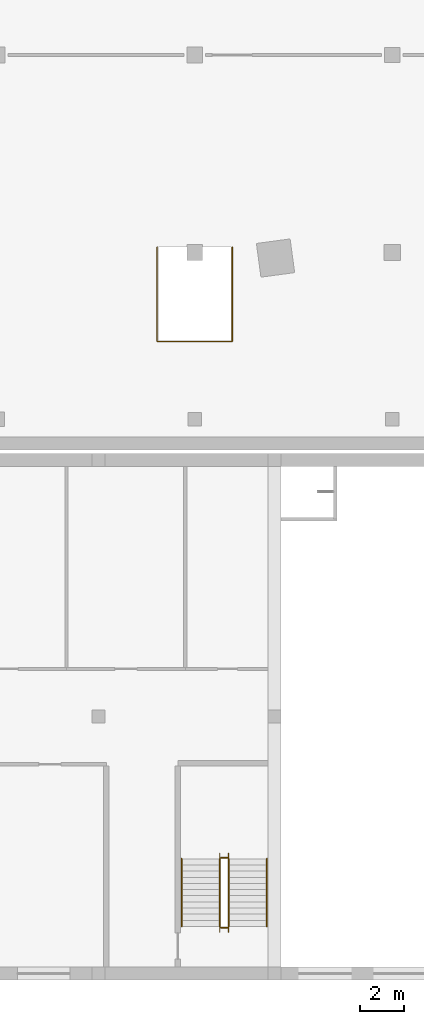
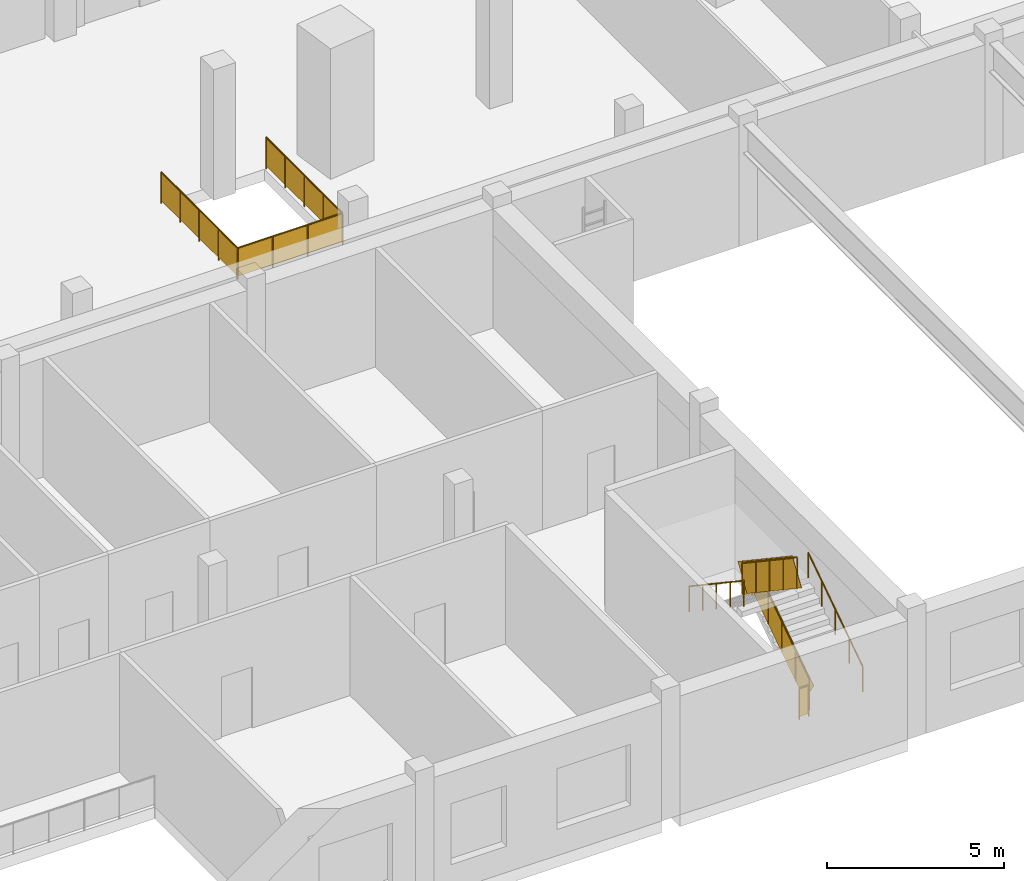
# One storey, part 21 of 27: 7 railings.
"""IFC4 building model written with IfcOpenShell, lengths in metres."""

import ifcopenshell
import ifcopenshell.guid

model = None  # the IFC model being written
_history = None  # IfcOwnerHistory: only IFC2X3 demands one
_inside = {}  # id of a spatial element -> (the spatial element, [elements in it])
_under = {}  # id of a project, library or spatial element -> (it, [spatial elements below it])
_declared = {}  # id of a project -> (the project, [libraries it declares])
_typed = {}  # id of a type object -> (the type object, [elements of that type])
_made_of = {}  # id of a material, layer set ... -> (it, [elements and type objects made of it])


def new_model(schema):
    """Start an empty IFC model of exactly this schema.

    Asked for "IFC4X3", IfcOpenShell would pick the latest addendum, in which some entities
    have other attributes; the version numbers below select the first issue.
    IFC2X3 requires an IfcOwnerHistory on every rooted entity: one is made here for all.
    """
    global model, _history
    if schema == "IFC4X3":
        model = ifcopenshell.file(schema_version=(4, 3, 0, 0))
    else:
        model = ifcopenshell.file(schema=schema)
    _inside.clear()
    _under.clear()
    _declared.clear()
    _typed.clear()
    _made_of.clear()
    _history = None
    if model.schema == "IFC2X3":
        org = make("IfcOrganization", Name="unknown")
        user = make(
            "IfcPersonAndOrganization",
            ThePerson=make("IfcPerson", FamilyName="unknown"),
            TheOrganization=org,
        )
        app = make(
            "IfcApplication",
            ApplicationDeveloper=org,
            Version="unknown",
            ApplicationFullName="unknown",
            ApplicationIdentifier="unknown",
        )
        _history = make(
            "IfcOwnerHistory",
            OwningUser=user,
            OwningApplication=app,
            ChangeAction="ADDED",
            CreationDate=0,
        )
    return model


def make(cls, **values):
    """One entity of the class cls with the attributes given. An attribute that is None is left unset."""
    return model.create_entity(
        cls, **{name: value for name, value in values.items() if value is not None}
    )


def rooted(cls, **values):
    """An entity with a GlobalId (a new one), such as an element, a storey or a relation."""
    return make(cls, GlobalId=ifcopenshell.guid.new(), OwnerHistory=_history, **values)


def si_unit(unit_type, name, prefix=None):
    """IfcSIUnit, for example si_unit("LENGTHUNIT", "METRE", prefix="MILLI")."""
    return make("IfcSIUnit", UnitType=unit_type, Prefix=prefix, Name=name)


def assignment(units):
    """IfcUnitAssignment: the units of a project."""
    return None if units is None else make("IfcUnitAssignment", Units=units)


def point(xyz):
    """IfcCartesianPoint."""
    return None if xyz is None else make("IfcCartesianPoint", Coordinates=xyz)


def direction(xyz):
    """IfcDirection."""
    return None if xyz is None else make("IfcDirection", DirectionRatios=xyz)


def frame(location, z_axis=None, x_axis=None):
    """IfcAxis2Placement3D, a coordinate frame: its origin and axes. An axis left out is left unset."""
    return make(
        "IfcAxis2Placement3D",
        Location=point(location),
        Axis=direction(z_axis),
        RefDirection=direction(x_axis),
    )


def frame_2d(location, x_axis=None):
    """IfcAxis2Placement2D, a coordinate frame in the plane: its origin and x axis."""
    return make(
        "IfcAxis2Placement2D", Location=point(location), RefDirection=direction(x_axis)
    )


def origin():
    """The frame at (0, 0, 0) with its axes left unset."""
    return frame((0.0, 0.0, 0.0))


def origin_2d():
    """The frame at (0, 0) in the plane with its x axis left unset."""
    return frame_2d((0.0, 0.0))


def place(relative_to, where):
    """IfcLocalPlacement: puts the frame where relative to a parent placement (None: the world)."""
    return make(
        "IfcLocalPlacement", PlacementRelTo=relative_to, RelativePlacement=where
    )


def context(
    kind, dimensions, precision=None, world=None, true_north=None, identifier=None
):
    """IfcGeometricRepresentationContext, for example the 3D "Model" context."""
    return make(
        "IfcGeometricRepresentationContext",
        ContextIdentifier=identifier,
        ContextType=kind,
        CoordinateSpaceDimension=dimensions,
        Precision=precision,
        WorldCoordinateSystem=world,
        TrueNorth=true_north,
    )


def subcontext(parent, identifier, kind, view, scale=None):
    """IfcGeometricRepresentationSubContext, for example "Body" below "Model"."""
    return make(
        "IfcGeometricRepresentationSubContext",
        ContextIdentifier=identifier,
        ContextType=kind,
        ParentContext=parent,
        TargetScale=scale,
        TargetView=view,
    )


def project(units=None, contexts=None):
    """IfcProject with its units and contexts."""
    return rooted(
        "IfcProject",
        Name="project",
        RepresentationContexts=contexts,
        UnitsInContext=assignment(units),
    )


def spatial(cls, under=None, at=None, **own):
    """A site, building, storey or space (cls), placed at a placement, below another one or the project."""
    s = rooted(cls, ObjectPlacement=at, **own)
    if under is not None:
        _under.setdefault(under.id(), (under, []))[1].append(s)
    return s


def profile(cls, at=None, kind="AREA", **sizes):
    """A parametric profile (cls). Its sizes go by their IFC names, for example OverallWidth=200.0."""
    return make(cls, ProfileType=kind, Position=at, **sizes)


def rectangle(**sizes):
    """IfcRectangleProfileDef."""
    return profile("IfcRectangleProfileDef", **sizes)


def circle(**sizes):
    """IfcCircleProfileDef."""
    return profile("IfcCircleProfileDef", **sizes)


def extrude(swept, where, along, depth):
    """IfcExtrudedAreaSolid: the profile swept, set in the frame where, extruded along a direction by depth."""
    return make(
        "IfcExtrudedAreaSolid",
        SweptArea=swept,
        Position=where,
        ExtrudedDirection=direction(along),
        Depth=depth,
    )


def shape(context_of_items, identifier, shape_type, items):
    """IfcShapeRepresentation: the items that make up one representation, for example the "Body"."""
    return make(
        "IfcShapeRepresentation",
        ContextOfItems=context_of_items,
        RepresentationIdentifier=identifier,
        RepresentationType=shape_type,
        Items=items,
    )


def material(Name=None, Category=None):
    """IfcMaterial."""
    return make("IfcMaterial", Name=Name, Category=Category)


def made_of(thing, what):
    """Note that an element or type object is made of a material, layer set ...; save() writes the relation."""
    if what is not None:
        _made_of.setdefault(what.id(), (what, []))[1].append(thing)
    return thing


def type_object(cls, material=None, **own):
    """A type object (cls), such as IfcWallType, which elements share."""
    return made_of(rooted(cls, **own), material)


def element(
    cls,
    number,
    at=None,
    inside=None,
    cuts=None,
    type_object=None,
    material=None,
    context=None,
    identifier="Body",
    shape_type=None,
    held_by="IfcProductDefinitionShape",
    body=None,
    shapes=None,
    **own,
):
    """One element of the class cls, such as IfcWall. Its Tag is "e" and its number.

    at: its placement. inside: the storey or other place that contains it. cuts: it is an
    opening in that element (IfcRelVoidsElement). A single representation is given by context,
    identifier, shape_type and body (its items); several are given by shapes. held_by: the class
    of the entity that holds the representations. save() writes the other relations.
    """
    e = rooted(cls, Tag="e%d" % number, ObjectPlacement=at, **own)
    if body is not None:
        shapes = [shape(context, identifier, shape_type, body)]
    if shapes is not None:
        e.Representation = make(held_by, Representations=shapes)
    if inside is not None:
        _inside.setdefault(inside.id(), (inside, []))[1].append(e)
    if cuts is not None:
        rooted(
            "IfcRelVoidsElement", RelatingBuildingElement=cuts, RelatedOpeningElement=e
        )
    if type_object is not None:
        _typed.setdefault(type_object.id(), (type_object, []))[1].append(e)
    return made_of(e, material)


def aggregate(whole, parts):
    """IfcRelAggregates: a whole, such as a stair, and the parts it consists of."""
    return rooted("IfcRelAggregates", RelatingObject=whole, RelatedObjects=parts)


def save(model, path):
    """Write the relations noted so far, then the file.

    IfcRelAggregates (storeys below a building ...), IfcRelContainedInSpatialStructure (elements
    in a storey), IfcRelDefinesByType, IfcRelAssociatesMaterial and IfcRelDeclares: one each for
    every whole, place, type object, material and project.
    """
    for whole, parts in _under.values():
        aggregate(whole, parts)
    for where, things in _inside.values():
        rooted(
            "IfcRelContainedInSpatialStructure",
            RelatedElements=things,
            RelatingStructure=where,
        )
    for kind, things in _typed.values():
        rooted("IfcRelDefinesByType", RelatedObjects=things, RelatingType=kind)
    for what, things in _made_of.values():
        rooted("IfcRelAssociatesMaterial", RelatedObjects=things, RelatingMaterial=what)
    for by, libraries in _declared.values():
        rooted("IfcRelDeclares", RelatingContext=by, RelatedDefinitions=libraries)
    model.write(path)


model = new_model("IFC4")

# Units and contexts
model_context = context("Model", 3, precision=1e-05, world=origin(), true_north=direction((0.0, 1.0)))
body_context = subcontext(model_context, "Body", "Model", "MODEL_VIEW")
ifc_project = project(units=[si_unit("LENGTHUNIT", "METRE"), si_unit("AREAUNIT", "SQUARE_METRE"), si_unit("VOLUMEUNIT", "CUBIC_METRE"), si_unit("PLANEANGLEUNIT", "RADIAN"), si_unit("MASSUNIT", "GRAM", prefix="KILO")], contexts=[model_context])

# Site, building, storey
site_placement = place(None, origin())
site = spatial("IfcSite", under=ifc_project, at=site_placement, CompositionType="ELEMENT")
building_placement = place(site_placement, origin())
building = spatial("IfcBuilding", under=site, at=building_placement, Name="Dilmun Exchange Tower", CompositionType="ELEMENT")
storey_placement = place(building_placement, frame((0.0, 0.0, 4.5)))
storey = spatial("IfcBuildingStorey", under=building, at=storey_placement, Name="L01", CompositionType="ELEMENT", Elevation=4.5)

# Railings
ifc_material_1 = material(Name="Guard 1100")
railing_type_1 = type_object("IfcRailingType", Name="Guard 1100", PredefinedType="GUARDRAIL", material=ifc_material_1)
railing_1_placement = place(storey_placement, frame((-1.7099609375, -26.75, 0.0)))
element("IfcRailing", 1, at=railing_1_placement, inside=storey, type_object=railing_type_1, Name="L01 guard at the grand stair opening", PredefinedType="GUARDRAIL", context=body_context, shape_type="SweptSolid", body=[
    extrude(circle(Radius=0.02392578125, at=origin_2d()), frame((0.0, 0.0, 1.076171875), z_axis=(0.0, -1.0, 0.0), x_axis=(1.0, 0.0, 0.0)), (0.0, 0.0, 1.0), 4.31005859375),
    extrude(rectangle(XDim=0.011962890625, YDim=0.951904296875, at=origin_2d()), frame((0.0, 0.0, 0.576171875), z_axis=(0.0, -1.0, 0.0), x_axis=(1.0, 0.0, 0.0)), (0.0, 0.0, 1.0), 4.31005859375),
    extrude(circle(Radius=0.02392578125, at=origin_2d()), frame((0.0, -4.31005859375, 1.076171875), z_axis=(1.0, 0.0, 0.0), x_axis=(0.0, 1.0, 0.0)), (0.0, 0.0, 1.0), 3.419921875),
    extrude(rectangle(XDim=0.011962890625, YDim=0.951904296875, at=origin_2d()), frame((0.0, -4.31005859375, 0.576171875), z_axis=(1.0, 0.0, 0.0), x_axis=(0.0, 1.0, 0.0)), (0.0, 0.0, 1.0), 3.419921875),
    extrude(circle(Radius=0.02392578125, at=origin_2d()), frame((3.419921875, -4.31005859375, 1.076171875), z_axis=(0.0, 1.0, 0.0), x_axis=(-1.0, 0.0, 0.0)), (0.0, 0.0, 1.0), 4.31005859375),
    extrude(rectangle(XDim=0.011962890625, YDim=0.951904296875, at=origin_2d()), frame((3.419921875, -4.31005859375, 0.576171875), z_axis=(0.0, 1.0, 0.0), x_axis=(-1.0, 0.0, 0.0)), (0.0, 0.0, 1.0), 4.31005859375),
    extrude(circle(Radius=0.02099609375, at=origin_2d()), origin(), (0.0, 0.0, 1.0), 1.052001953125),
    extrude(circle(Radius=0.02099609375, at=origin_2d()), frame((0.0, -1.07763671875, 0.0)), (0.0, 0.0, 1.0), 1.052001953125),
    extrude(circle(Radius=0.02099609375, at=origin_2d()), frame((0.0, -2.155029296875, 0.0)), (0.0, 0.0, 1.0), 1.052001953125),
    extrude(circle(Radius=0.02099609375, at=origin_2d()), frame((0.0, -3.232421875, 0.0)), (0.0, 0.0, 1.0), 1.052001953125),
    extrude(circle(Radius=0.02099609375, at=origin_2d()), frame((0.0, -4.31005859375, 0.0)), (0.0, 0.0, 1.0), 1.052001953125),
    extrude(circle(Radius=0.02099609375, at=origin_2d()), frame((1.139892578125, -4.31005859375, 0.0)), (0.0, 0.0, 1.0), 1.052001953125),
    extrude(circle(Radius=0.02099609375, at=origin_2d()), frame((2.280029296875, -4.31005859375, 0.0)), (0.0, 0.0, 1.0), 1.052001953125),
    extrude(circle(Radius=0.02099609375, at=origin_2d()), frame((3.419921875, -4.31005859375, 0.0)), (0.0, 0.0, 1.0), 1.052001953125),
    extrude(circle(Radius=0.02099609375, at=origin_2d()), frame((3.419921875, -3.232421875, 0.0)), (0.0, 0.0, 1.0), 1.052001953125),
    extrude(circle(Radius=0.02099609375, at=origin_2d()), frame((3.419921875, -2.155029296875, 0.0)), (0.0, 0.0, 1.0), 1.052001953125),
    extrude(circle(Radius=0.02099609375, at=origin_2d()), frame((3.419921875, -1.07763671875, 0.0)), (0.0, 0.0, 1.0), 1.052001953125),
    extrude(circle(Radius=0.02099609375, at=origin_2d()), frame((3.419921875, 0.0, 0.0)), (0.0, 0.0, 1.0), 1.052001953125),
])
ifc_material_2 = material(Name="Steel S355", Category="steel")
railing_type_2 = type_object("IfcRailingType", Name="School stair guard 1100", PredefinedType="GUARDRAIL", material=ifc_material_2)
railing_2_placement = place(storey_placement, frame((1.54296875, -57.7099609375, 0.1875)))
element("IfcRailing", 2, at=railing_2_placement, inside=storey, type_object=railing_type_2, Name="L01 SCH-S3 stair guard 1", PredefinedType="GUARDRAIL", context=body_context, shape_type="SweptSolid", body=[
    extrude(circle(Radius=0.02392578125, at=origin_2d()), frame((0.0, 0.0, 1.076171875), z_axis=(0.0, 0.830913701846, 0.55640131208), x_axis=(-1.0, 0.0, 0.0)), (0.0, 0.0, 1.0), 3.706787109375),
    extrude(rectangle(XDim=0.011962890625, YDim=0.951904296875, at=origin_2d()), frame((0.0, 0.0, 0.576171875), z_axis=(0.0, 0.830913701846, 0.55640131208), x_axis=(-1.0, 0.0, 0.0)), (0.0, 0.0, 1.0), 3.706787109375),
    extrude(circle(Radius=0.02099609375, at=origin_2d()), origin(), (0.0, 0.0, 1.0), 1.052001953125),
    extrude(circle(Radius=0.02099609375, at=origin_2d()), frame((0.0, 0.77001953125, 0.515625)), (0.0, 0.0, 1.0), 1.052001953125),
    extrude(circle(Radius=0.02099609375, at=origin_2d()), frame((0.0, 1.5400390625, 1.03125)), (0.0, 0.0, 1.0), 1.052001953125),
    extrude(circle(Radius=0.02099609375, at=origin_2d()), frame((0.0, 2.31005859375, 1.546875)), (0.0, 0.0, 1.0), 1.052001953125),
    extrude(circle(Radius=0.02099609375, at=origin_2d()), frame((0.0, 3.080078125, 2.0625)), (0.0, 0.0, 1.0), 1.052001953125),
])
railing_3_placement = place(storey_placement, frame((1.492919921875, -54.580078125, 2.25)))
element("IfcRailing", 3, at=railing_3_placement, inside=storey, type_object=railing_type_2, Name="L01 SCH-S3 stair guard 2", PredefinedType="GUARDRAIL", context=body_context, shape_type="SweptSolid", body=[
    extrude(circle(Radius=0.02392578125, at=origin_2d()), frame((0.0, 0.0, 1.076171875), z_axis=(-1.0, 0.0, 0.0), x_axis=(0.0, -1.0, 0.0)), (0.0, 0.0, 1.0), 0.2998046875),
    extrude(rectangle(XDim=0.011962890625, YDim=0.951904296875, at=origin_2d()), frame((0.0, 0.0, 0.576171875), z_axis=(-1.0, 0.0, 0.0), x_axis=(0.0, -1.0, 0.0)), (0.0, 0.0, 1.0), 0.2998046875),
    extrude(circle(Radius=0.02099609375, at=origin_2d()), origin(), (0.0, 0.0, 1.0), 1.052001953125),
    extrude(circle(Radius=0.02099609375, at=origin_2d()), frame((-0.2998046875, 0.0, 0.0)), (0.0, 0.0, 1.0), 1.052001953125),
])
railing_4_placement = place(storey_placement, frame((1.14306640625, -54.6298828125, 2.4375)))
element("IfcRailing", 4, at=railing_4_placement, inside=storey, type_object=railing_type_2, Name="L01 SCH-S3 stair guard 3", PredefinedType="GUARDRAIL", context=body_context, shape_type="SweptSolid", body=[
    extrude(circle(Radius=0.02392578125, at=origin_2d()), frame((0.0, 0.0, 1.076171875), z_axis=(0.0, -0.830913701846, 0.55640131208), x_axis=(1.0, 0.0, 0.0)), (0.0, 0.0, 1.0), 3.706787109375),
    extrude(rectangle(XDim=0.011962890625, YDim=0.951904296875, at=origin_2d()), frame((0.0, 0.0, 0.576171875), z_axis=(0.0, -0.830913701846, 0.55640131208), x_axis=(1.0, 0.0, 0.0)), (0.0, 0.0, 1.0), 3.706787109375),
    extrude(circle(Radius=0.02099609375, at=origin_2d()), origin(), (0.0, 0.0, 1.0), 1.052001953125),
    extrude(circle(Radius=0.02099609375, at=origin_2d()), frame((0.0, -0.77001953125, 0.515625)), (0.0, 0.0, 1.0), 1.052001953125),
    extrude(circle(Radius=0.02099609375, at=origin_2d()), frame((0.0, -1.5400390625, 1.03125)), (0.0, 0.0, 1.0), 1.052001953125),
    extrude(circle(Radius=0.02099609375, at=origin_2d()), frame((0.0, -2.31005859375, 1.546875)), (0.0, 0.0, 1.0), 1.052001953125),
    extrude(circle(Radius=0.02099609375, at=origin_2d()), frame((0.0, -3.080078125, 2.0625)), (0.0, 0.0, 1.0), 1.052001953125),
])
railing_5_placement = place(storey_placement, frame((1.492919921875, -57.760009765625, 0.0)))
element("IfcRailing", 5, at=railing_5_placement, inside=storey, type_object=railing_type_2, Name="L01 SCH-S3 stair guard 4", PredefinedType="GUARDRAIL", context=body_context, shape_type="SweptSolid", body=[
    extrude(circle(Radius=0.02392578125, at=origin_2d()), frame((0.0, 0.0, 1.076171875), z_axis=(-1.0, 0.0, 0.0), x_axis=(0.0, -1.0, 0.0)), (0.0, 0.0, 1.0), 0.2998046875),
    extrude(rectangle(XDim=0.011962890625, YDim=0.951904296875, at=origin_2d()), frame((0.0, 0.0, 0.576171875), z_axis=(-1.0, 0.0, 0.0), x_axis=(0.0, -1.0, 0.0)), (0.0, 0.0, 1.0), 0.2998046875),
    extrude(circle(Radius=0.02099609375, at=origin_2d()), origin(), (0.0, 0.0, 1.0), 1.052001953125),
    extrude(circle(Radius=0.02099609375, at=origin_2d()), frame((-0.2998046875, 0.0, 0.0)), (0.0, 0.0, 1.0), 1.052001953125),
])
railing_type_3 = type_object("IfcRailingType", Name="School stair handrail 900", PredefinedType="HANDRAIL", material=ifc_material_2)
railing_6_placement = place(storey_placement, frame((3.282958984375, -57.7099609375, 0.1875)))
element("IfcRailing", 6, at=railing_6_placement, inside=storey, type_object=railing_type_3, Name="L01 SCH-S3 stair handrail 1", PredefinedType="HANDRAIL", context=body_context, shape_type="SweptSolid", body=[
    extrude(circle(Radius=0.02392578125, at=origin_2d()), frame((0.0, 0.0, 0.8759765625), z_axis=(0.0, 0.830913701846, 0.55640131208), x_axis=(-1.0, 0.0, 0.0)), (0.0, 0.0, 1.0), 3.706787109375),
    extrude(circle(Radius=0.02099609375, at=origin_2d()), origin(), (0.0, 0.0, 1.0), 0.851806640625),
    extrude(circle(Radius=0.02099609375, at=origin_2d()), frame((0.0, 0.77001953125, 0.515625)), (0.0, 0.0, 1.0), 0.851806640625),
    extrude(circle(Radius=0.02099609375, at=origin_2d()), frame((0.0, 1.5400390625, 1.03125)), (0.0, 0.0, 1.0), 0.851806640625),
    extrude(circle(Radius=0.02099609375, at=origin_2d()), frame((0.0, 2.31005859375, 1.546875)), (0.0, 0.0, 1.0), 0.851806640625),
    extrude(circle(Radius=0.02099609375, at=origin_2d()), frame((0.0, 3.080078125, 2.0625)), (0.0, 0.0, 1.0), 0.851806640625),
])
railing_7_placement = place(storey_placement, frame((-0.596923828125, -54.6298828125, 2.4375)))
element("IfcRailing", 7, at=railing_7_placement, inside=storey, type_object=railing_type_3, Name="L01 SCH-S3 stair handrail 2", PredefinedType="HANDRAIL", context=body_context, shape_type="SweptSolid", body=[
    extrude(circle(Radius=0.02392578125, at=origin_2d()), frame((0.0, 0.0, 0.8759765625), z_axis=(0.0, -0.830913701846, 0.55640131208), x_axis=(1.0, 0.0, 0.0)), (0.0, 0.0, 1.0), 3.706787109375),
    extrude(circle(Radius=0.02099609375, at=origin_2d()), origin(), (0.0, 0.0, 1.0), 0.851806640625),
    extrude(circle(Radius=0.02099609375, at=origin_2d()), frame((0.0, -0.77001953125, 0.515625)), (0.0, 0.0, 1.0), 0.851806640625),
    extrude(circle(Radius=0.02099609375, at=origin_2d()), frame((0.0, -1.5400390625, 1.03125)), (0.0, 0.0, 1.0), 0.851806640625),
    extrude(circle(Radius=0.02099609375, at=origin_2d()), frame((0.0, -2.31005859375, 1.546875)), (0.0, 0.0, 1.0), 0.851806640625),
    extrude(circle(Radius=0.02099609375, at=origin_2d()), frame((0.0, -3.080078125, 2.0625)), (0.0, 0.0, 1.0), 0.851806640625),
])

save(model, "model.ifc")
